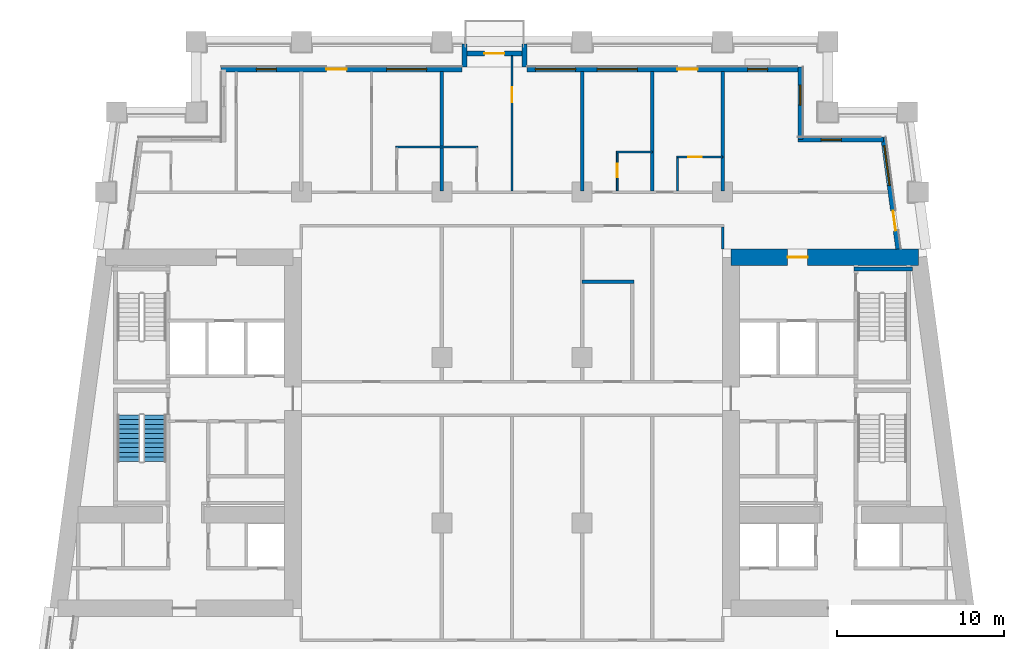
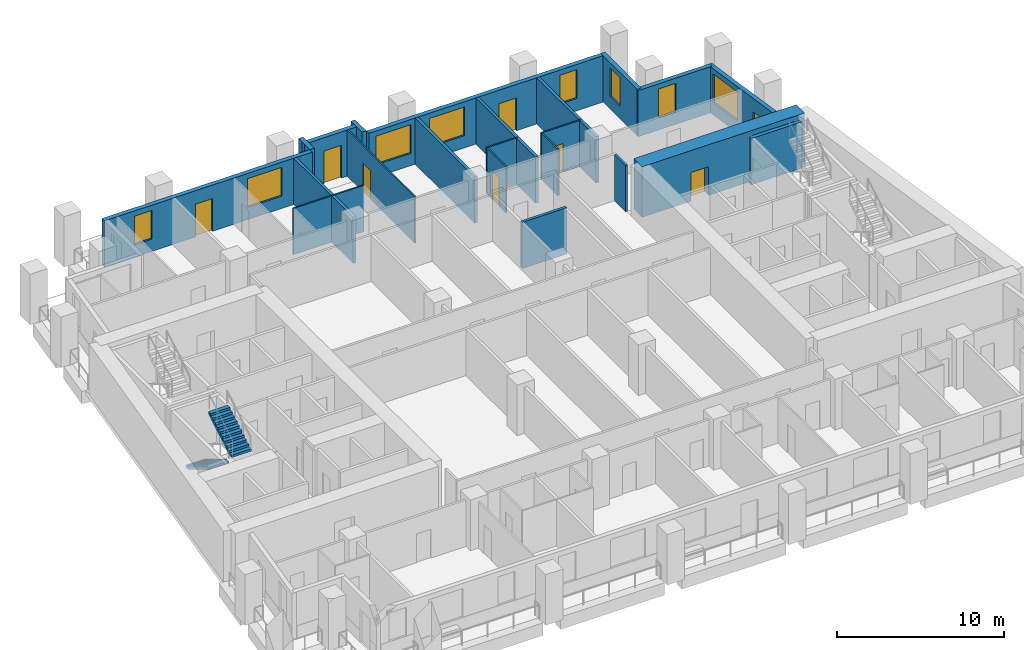
# One storey, part 7 of 13: 22 walls, 8 doors, 8 windows, 2 stair flights, 16 openings, 1 element without a shape of its own.
"""IFC4 building model written with IfcOpenShell, lengths in metres."""

from ifc_helpers import new_model, si_unit, direction, frame, frame_2d, origin, place, context, subcontext, project, spatial, polyline, rectangle, outline, extrude, material, layer, layer_set, type_object, element, fill, aggregate, save


model = new_model("IFC4")

# Units and contexts
model_context = context("Model", 3, precision=1e-05, world=origin(), true_north=direction((0.0, 1.0)))
body_context = subcontext(model_context, "Body", "Model", "MODEL_VIEW")
ifc_project = project(units=[si_unit("LENGTHUNIT", "METRE"), si_unit("AREAUNIT", "SQUARE_METRE"), si_unit("VOLUMEUNIT", "CUBIC_METRE"), si_unit("PLANEANGLEUNIT", "RADIAN"), si_unit("MASSUNIT", "GRAM", prefix="KILO")], contexts=[model_context])

# Site, building, storey
site_placement = place(None, origin())
site = spatial("IfcSite", under=ifc_project, at=site_placement, CompositionType="ELEMENT")
building_placement = place(site_placement, origin())
building = spatial("IfcBuilding", under=site, at=building_placement, Name="Candeia Pilgrim Tower and Theatre", CompositionType="ELEMENT")
storey_placement = place(building_placement, frame((0.0, 0.0, 113.199951171875)))
storey = spatial("IfcBuildingStorey", under=building, at=storey_placement, Name="L26", CompositionType="ELEMENT", Elevation=113.199951171875)

# Wall, opening, door
ifc_material_1 = material(Name="Concrete C70/85", Category="concrete")
ifc_layer_1 = layer(ifc_material_1, 1.0)
ifc_layer_set_1 = layer_set([ifc_layer_1], Name="Core wall 1000 C70/85")
wall_type_1 = type_object("IfcWallType", Name="Core wall 1000 C70/85", PredefinedType="SHEAR", material=ifc_layer_set_1)
wall_1_placement = place(storey_placement, frame((126.5, 131.89990234375, 0.0), z_axis=(0.0, 0.0, 1.0), x_axis=(1.0, 0.0, 0.0)))
wall_1 = element("IfcWall", 1, at=wall_1_placement, inside=storey, type_object=wall_type_1, Name="Core wall E1", PredefinedType="SHEAR", context=body_context, shape_type="SweptSolid", body=[
    extrude(rectangle(XDim=11.23193359375, YDim=1.0, at=frame_2d((5.615966796875, 0.0))), origin(), (0.0, 0.0, 1.0), 3.699951171875),
])
opening_1_placement = place(wall_1_placement, frame((3.386474609375, 0.0, 0.0)))
opening_1 = element("IfcOpeningElement", 2, at=opening_1_placement, cuts=wall_1, Name="Opening L26-D063", PredefinedType="OPENING", context=body_context, shape_type="SweptSolid", body=[
    extrude(rectangle(XDim=1.199951171875, YDim=2.10009765625, at=frame_2d((0.60009765625, 1.050048828125))), frame((0.0, 0.510009765625, 0.0), z_axis=(0.0, -1.0, 0.0), x_axis=(1.0, 0.0, 0.0)), (0.0, 0.0, 1.0), 1.02001953125),
])
ifc_material_2 = material(Name="Steel fire door set", Category="steel")
door_type_1 = type_object("IfcDoorType", Name="D-1200-FD60", OperationType="NOTDEFINED", PredefinedType="DOOR", material=ifc_material_2)
door_1_placement = place(opening_1_placement, origin())
door_1 = element("IfcDoor", 3, at=door_1_placement, inside=storey, type_object=door_type_1, Name="Door L26-D063", OperationType="SINGLE_SWING_LEFT", OverallHeight=2.10009765625, OverallWidth=1.199951171875, PredefinedType="DOOR", context=body_context, shape_type="SweptSolid", body=[
    extrude(rectangle(XDim=1.199951171875, YDim=2.10009765625, at=frame_2d((0.60009765625, 1.050048828125))), frame((0.0, 0.02490234375, 0.0), z_axis=(0.0, -1.0, 0.0), x_axis=(1.0, 0.0, 0.0)), (0.0, 0.0, 1.0), 0.050048828125),
])
fill(opening_1, door_1)

# Wall, openings, door, window
ifc_material_3 = material(Name="Ceramic block masonry", Category="masonry")
ifc_layer_2 = layer(ifc_material_3, 0.300048828125)
ifc_layer_set_2 = layer_set([ifc_layer_2], Name="EW1 glazing-line wall 300")
wall_type_2 = type_object("IfcWallType", Name="EW1 glazing-line wall 300", PredefinedType="SOLIDWALL", material=ifc_layer_set_2)
wall_2_placement = place(storey_placement, frame((136.50439453125, 132.39990234375, 0.0), z_axis=(0.0, 0.0, 1.0), x_axis=(-0.133399697462, 0.99106231929, 0.0)))
wall_2 = element("IfcWall", 4, at=wall_2_placement, inside=storey, type_object=wall_type_2, Name="External wall L26-3.1", PredefinedType="SOLIDWALL", context=body_context, shape_type="SweptSolid", body=[
    extrude(rectangle(XDim=6.740478515625, YDim=0.300048828125, at=frame_2d((3.3701171875, 0.0))), origin(), (0.0, 0.0, 1.0), 3.380126953125),
])
opening_2_placement = place(wall_2_placement, frame((1.115234375, 0.0, 0.0)))
opening_2 = element("IfcOpeningElement", 5, at=opening_2_placement, cuts=wall_2, Name="Opening L26-ED265", PredefinedType="OPENING", context=body_context, shape_type="SweptSolid", body=[
    extrude(rectangle(XDim=1.199951171875, YDim=2.39990234375, at=frame_2d((0.60009765625, 1.199951171875))), frame((0.0, 0.16015625, 0.0), z_axis=(0.0, -1.0, 0.0), x_axis=(1.0, 0.0, 0.0)), (0.0, 0.0, 1.0), 0.320068359375),
])
opening_3_placement = place(wall_2_placement, frame((3.83544921875, 0.0, 0.89990234375)))
opening_3 = element("IfcOpeningElement", 6, at=opening_3_placement, cuts=wall_2, Name="Opening W-A", PredefinedType="OPENING", context=body_context, shape_type="SweptSolid", body=[
    extrude(rectangle(XDim=2.39990234375, YDim=2.10009765625, at=frame_2d((1.199951171875, 1.050048828125))), frame((0.0, 0.16015625, 0.0), z_axis=(0.0, -1.0, 0.0), x_axis=(1.0, 0.0, 0.0)), (0.0, 0.0, 1.0), 0.320068359375),
])
ifc_material_4 = material(Name="Aluminium framed glazed door", Category="aluminium")
door_type_2 = type_object("IfcDoorType", Name="Loggia door 1200x2400", OperationType="DOUBLE_DOOR_SINGLE_SWING", PredefinedType="DOOR", material=ifc_material_4)
door_2_placement = place(opening_2_placement, origin())
door_2 = element("IfcDoor", 7, at=door_2_placement, inside=storey, type_object=door_type_2, Name="Loggia door L26-ED265", OperationType="DOUBLE_DOOR_SINGLE_SWING", OverallHeight=2.39990234375, OverallWidth=1.199951171875, PredefinedType="DOOR", context=body_context, shape_type="SweptSolid", body=[
    extrude(rectangle(XDim=1.199951171875, YDim=2.39990234375, at=frame_2d((0.60009765625, 1.199951171875))), frame((0.0, 0.02490234375, 0.0), z_axis=(0.0, -1.0, 0.0), x_axis=(1.0, 0.0, 0.0)), (0.0, 0.0, 1.0), 0.050048828125),
])
fill(opening_2, door_2)
ifc_material_5 = material(Name="Aluminium framed double glazing", Category="aluminium")
window_type_1 = type_object("IfcWindowType", Name="W-A window 2400x2100", PartitioningType="DOUBLE_PANEL_VERTICAL", PredefinedType="WINDOW", material=ifc_material_5)
window_1_placement = place(opening_3_placement, origin())
window_1 = element("IfcWindow", 8, at=window_1_placement, inside=storey, type_object=window_type_1, Name="Window W-A L26", OverallHeight=2.10009765625, OverallWidth=2.39990234375, PartitioningType="SINGLE_PANEL", PredefinedType="WINDOW", context=body_context, shape_type="SweptSolid", body=[
    extrude(rectangle(XDim=2.39990234375, YDim=2.10009765625, at=frame_2d((1.199951171875, 1.050048828125))), frame((0.0, 0.030029296875, 0.0), z_axis=(0.0, -1.0, 0.0), x_axis=(1.0, 0.0, 0.0)), (0.0, 0.0, 1.0), 0.06005859375),
])
fill(opening_3, window_1)

# Wall, opening, window
wall_3_placement = place(storey_placement, frame((135.62255859375, 138.949951171875, 0.0), z_axis=(0.0, 0.0, 1.0), x_axis=(-1.0, 0.0, 0.0)))
wall_3 = element("IfcWall", 9, at=wall_3_placement, inside=storey, type_object=wall_type_2, Name="External wall L26-4.0", PredefinedType="SOLIDWALL", context=body_context, shape_type="SweptSolid", body=[
    extrude(rectangle(XDim=5.12255859375, YDim=0.300048828125, at=frame_2d((2.561279296875, 0.0))), origin(), (0.0, 0.0, 1.0), 3.380126953125),
])
opening_4_placement = place(wall_3_placement, frame((2.522705078125, 0.0, 0.89990234375)))
opening_4 = element("IfcOpeningElement", 10, at=opening_4_placement, cuts=wall_3, Name="Opening W-B", PredefinedType="OPENING", context=body_context, shape_type="SweptSolid", body=[
    extrude(rectangle(XDim=1.199951171875, YDim=2.10009765625, at=frame_2d((0.60009765625, 1.050048828125))), frame((0.0, 0.16015625, 0.0), z_axis=(0.0, -1.0, 0.0), x_axis=(1.0, 0.0, 0.0)), (0.0, 0.0, 1.0), 0.320068359375),
])
window_type_2 = type_object("IfcWindowType", Name="W-B window 1200x2100", PartitioningType="SINGLE_PANEL", PredefinedType="WINDOW", material=ifc_material_5)
window_2_placement = place(opening_4_placement, origin())
window_2 = element("IfcWindow", 11, at=window_2_placement, inside=storey, type_object=window_type_2, Name="Window W-B L26", OverallHeight=2.10009765625, OverallWidth=1.199951171875, PartitioningType="SINGLE_PANEL", PredefinedType="WINDOW", context=body_context, shape_type="SweptSolid", body=[
    extrude(rectangle(XDim=1.199951171875, YDim=2.10009765625, at=frame_2d((0.60009765625, 1.050048828125))), frame((0.0, 0.030029296875, 0.0), z_axis=(0.0, -1.0, 0.0), x_axis=(1.0, 0.0, 0.0)), (0.0, 0.0, 1.0), 0.06005859375),
])
fill(opening_4, window_2)

wall_4_placement = place(storey_placement, frame((130.64990234375, 138.949951171875, 0.0), z_axis=(0.0, 0.0, 1.0), x_axis=(0.0, 1.0, 0.0)))
wall_4 = element("IfcWall", 12, at=wall_4_placement, inside=storey, type_object=wall_type_2, Name="External wall L26-5.0", PredefinedType="SOLIDWALL", context=body_context, shape_type="SweptSolid", body=[
    extrude(rectangle(XDim=4.35009765625, YDim=0.300048828125, at=frame_2d((2.175048828125, 0.0))), origin(), (0.0, 0.0, 1.0), 3.380126953125),
])
opening_5_placement = place(wall_4_placement, frame((2.050048828125, 0.0, 0.89990234375)))
opening_5 = element("IfcOpeningElement", 13, at=opening_5_placement, cuts=wall_4, Name="Opening W-B", PredefinedType="OPENING", context=body_context, shape_type="SweptSolid", body=[
    extrude(rectangle(XDim=1.199951171875, YDim=2.10009765625, at=frame_2d((0.60009765625, 1.050048828125))), frame((0.0, 0.16015625, 0.0), z_axis=(0.0, -1.0, 0.0), x_axis=(1.0, 0.0, 0.0)), (0.0, 0.0, 1.0), 0.320068359375),
])
window_3_placement = place(opening_5_placement, origin())
window_3 = element("IfcWindow", 14, at=window_3_placement, inside=storey, type_object=window_type_2, Name="Window W-B L26", OverallHeight=2.10009765625, OverallWidth=1.199951171875, PartitioningType="SINGLE_PANEL", PredefinedType="WINDOW", context=body_context, shape_type="SweptSolid", body=[
    extrude(rectangle(XDim=1.199951171875, YDim=2.10009765625, at=frame_2d((0.60009765625, 1.050048828125))), frame((0.0, 0.030029296875, 0.0), z_axis=(0.0, -1.0, 0.0), x_axis=(1.0, 0.0, 0.0)), (0.0, 0.0, 1.0), 0.06005859375),
])
fill(opening_5, window_3)

# Wall, openings, door, windows
wall_5_placement = place(storey_placement, frame((130.64990234375, 143.14990234375, 0.0), z_axis=(0.0, 0.0, 1.0), x_axis=(-1.0, 0.0, 0.0)))
wall_5 = element("IfcWall", 15, at=wall_5_placement, inside=storey, type_object=wall_type_2, Name="External wall L26-6.0", PredefinedType="SOLIDWALL", context=body_context, shape_type="SweptSolid", body=[
    extrude(rectangle(XDim=16.349853515625, YDim=0.300048828125, at=frame_2d((8.1748046875, 0.0))), origin(), (0.0, 0.0, 1.0), 3.380126953125),
])
opening_6_placement = place(wall_5_placement, frame((1.949951171875, 0.0, 0.89990234375)))
opening_6 = element("IfcOpeningElement", 16, at=opening_6_placement, cuts=wall_5, Name="Opening W-B", PredefinedType="OPENING", context=body_context, shape_type="SweptSolid", body=[
    extrude(rectangle(XDim=1.199951171875, YDim=2.10009765625, at=frame_2d((0.60009765625, 1.050048828125))), frame((0.0, 0.16015625, 0.0), z_axis=(0.0, -1.0, 0.0), x_axis=(1.0, 0.0, 0.0)), (0.0, 0.0, 1.0), 0.320068359375),
])
opening_7_placement = place(wall_5_placement, frame((6.14990234375, 0.0, 0.0)))
opening_7 = element("IfcOpeningElement", 17, at=opening_7_placement, cuts=wall_5, Name="Opening L26-ED266", PredefinedType="OPENING", context=body_context, shape_type="SweptSolid", body=[
    extrude(rectangle(XDim=1.199951171875, YDim=2.39990234375, at=frame_2d((0.60009765625, 1.199951171875))), frame((0.0, 0.16015625, 0.0), z_axis=(0.0, -1.0, 0.0), x_axis=(1.0, 0.0, 0.0)), (0.0, 0.0, 1.0), 0.320068359375),
])
opening_8_placement = place(wall_5_placement, frame((9.75, 0.0, 0.89990234375)))
opening_8 = element("IfcOpeningElement", 18, at=opening_8_placement, cuts=wall_5, Name="Opening W-A", PredefinedType="OPENING", context=body_context, shape_type="SweptSolid", body=[
    extrude(rectangle(XDim=2.39990234375, YDim=2.10009765625, at=frame_2d((1.199951171875, 1.050048828125))), frame((0.0, 0.16015625, 0.0), z_axis=(0.0, -1.0, 0.0), x_axis=(1.0, 0.0, 0.0)), (0.0, 0.0, 1.0), 0.320068359375),
])
opening_9_placement = place(wall_5_placement, frame((13.449951171875, 0.0, 0.89990234375)))
opening_9 = element("IfcOpeningElement", 19, at=opening_9_placement, cuts=wall_5, Name="Opening W-A", PredefinedType="OPENING", context=body_context, shape_type="SweptSolid", body=[
    extrude(rectangle(XDim=2.39990234375, YDim=2.10009765625, at=frame_2d((1.199951171875, 1.050048828125))), frame((0.0, 0.16015625, 0.0), z_axis=(0.0, -1.0, 0.0), x_axis=(1.0, 0.0, 0.0)), (0.0, 0.0, 1.0), 0.320068359375),
])
door_3_placement = place(opening_7_placement, origin())
door_3 = element("IfcDoor", 20, at=door_3_placement, inside=storey, type_object=door_type_2, Name="Loggia door L26-ED266", OperationType="DOUBLE_DOOR_SINGLE_SWING", OverallHeight=2.39990234375, OverallWidth=1.199951171875, PredefinedType="DOOR", context=body_context, shape_type="SweptSolid", body=[
    extrude(rectangle(XDim=1.199951171875, YDim=2.39990234375, at=frame_2d((0.60009765625, 1.199951171875))), frame((0.0, 0.02490234375, 0.0), z_axis=(0.0, -1.0, 0.0), x_axis=(1.0, 0.0, 0.0)), (0.0, 0.0, 1.0), 0.050048828125),
])
fill(opening_7, door_3)
window_4_placement = place(opening_8_placement, origin())
window_4 = element("IfcWindow", 21, at=window_4_placement, inside=storey, type_object=window_type_1, Name="Window W-A L26", OverallHeight=2.10009765625, OverallWidth=2.39990234375, PartitioningType="SINGLE_PANEL", PredefinedType="WINDOW", context=body_context, shape_type="SweptSolid", body=[
    extrude(rectangle(XDim=2.39990234375, YDim=2.10009765625, at=frame_2d((1.199951171875, 1.050048828125))), frame((0.0, 0.030029296875, 0.0), z_axis=(0.0, -1.0, 0.0), x_axis=(1.0, 0.0, 0.0)), (0.0, 0.0, 1.0), 0.06005859375),
])
fill(opening_8, window_4)
window_5_placement = place(opening_9_placement, origin())
window_5 = element("IfcWindow", 22, at=window_5_placement, inside=storey, type_object=window_type_1, Name="Window W-A L26", OverallHeight=2.10009765625, OverallWidth=2.39990234375, PartitioningType="SINGLE_PANEL", PredefinedType="WINDOW", context=body_context, shape_type="SweptSolid", body=[
    extrude(rectangle(XDim=2.39990234375, YDim=2.10009765625, at=frame_2d((1.199951171875, 1.050048828125))), frame((0.0, 0.030029296875, 0.0), z_axis=(0.0, -1.0, 0.0), x_axis=(1.0, 0.0, 0.0)), (0.0, 0.0, 1.0), 0.06005859375),
])
fill(opening_9, window_5)
window_6_placement = place(opening_6_placement, origin())
window_6 = element("IfcWindow", 23, at=window_6_placement, inside=storey, type_object=window_type_2, Name="Window W-B L26", OverallHeight=2.10009765625, OverallWidth=1.199951171875, PartitioningType="SINGLE_PANEL", PredefinedType="WINDOW", context=body_context, shape_type="SweptSolid", body=[
    extrude(rectangle(XDim=1.199951171875, YDim=2.10009765625, at=frame_2d((0.60009765625, 1.050048828125))), frame((0.0, 0.030029296875, 0.0), z_axis=(0.0, -1.0, 0.0), x_axis=(1.0, 0.0, 0.0)), (0.0, 0.0, 1.0), 0.06005859375),
])
fill(opening_6, window_6)

wall_6_placement = place(storey_placement, frame((110.39990234375, 143.14990234375, 0.0), z_axis=(0.0, 0.0, 1.0), x_axis=(-1.0, 0.0, 0.0)))
wall_6 = element("IfcWall", 24, at=wall_6_placement, inside=storey, type_object=wall_type_2, Name="External wall L26-6.1", PredefinedType="SOLIDWALL", context=body_context, shape_type="SweptSolid", body=[
    extrude(rectangle(XDim=14.39990234375, YDim=0.300048828125, at=frame_2d((7.199951171875, 0.0))), origin(), (0.0, 0.0, 1.0), 3.380126953125),
])
opening_10_placement = place(wall_6_placement, frame((2.10009765625, 0.0, 0.89990234375)))
opening_10 = element("IfcOpeningElement", 25, at=opening_10_placement, cuts=wall_6, Name="Opening W-A", PredefinedType="OPENING", context=body_context, shape_type="SweptSolid", body=[
    extrude(rectangle(XDim=2.39990234375, YDim=2.10009765625, at=frame_2d((1.199951171875, 1.050048828125))), frame((0.0, 0.16015625, 0.0), z_axis=(0.0, -1.0, 0.0), x_axis=(1.0, 0.0, 0.0)), (0.0, 0.0, 1.0), 0.320068359375),
])
opening_11_placement = place(wall_6_placement, frame((6.89990234375, 0.0, 0.0)))
opening_11 = element("IfcOpeningElement", 26, at=opening_11_placement, cuts=wall_6, Name="Opening L26-ED267", PredefinedType="OPENING", context=body_context, shape_type="SweptSolid", body=[
    extrude(rectangle(XDim=1.199951171875, YDim=2.39990234375, at=frame_2d((0.60009765625, 1.199951171875))), frame((0.0, 0.16015625, 0.0), z_axis=(0.0, -1.0, 0.0), x_axis=(1.0, 0.0, 0.0)), (0.0, 0.0, 1.0), 0.320068359375),
])
opening_12_placement = place(wall_6_placement, frame((11.10009765625, 0.0, 0.89990234375)))
opening_12 = element("IfcOpeningElement", 27, at=opening_12_placement, cuts=wall_6, Name="Opening W-B", PredefinedType="OPENING", context=body_context, shape_type="SweptSolid", body=[
    extrude(rectangle(XDim=1.199951171875, YDim=2.10009765625, at=frame_2d((0.60009765625, 1.050048828125))), frame((0.0, 0.16015625, 0.0), z_axis=(0.0, -1.0, 0.0), x_axis=(1.0, 0.0, 0.0)), (0.0, 0.0, 1.0), 0.320068359375),
])
door_4_placement = place(opening_11_placement, origin())
door_4 = element("IfcDoor", 28, at=door_4_placement, inside=storey, type_object=door_type_2, Name="Loggia door L26-ED267", OperationType="DOUBLE_DOOR_SINGLE_SWING", OverallHeight=2.39990234375, OverallWidth=1.199951171875, PredefinedType="DOOR", context=body_context, shape_type="SweptSolid", body=[
    extrude(rectangle(XDim=1.199951171875, YDim=2.39990234375, at=frame_2d((0.60009765625, 1.199951171875))), frame((0.0, 0.02490234375, 0.0), z_axis=(0.0, -1.0, 0.0), x_axis=(1.0, 0.0, 0.0)), (0.0, 0.0, 1.0), 0.050048828125),
])
fill(opening_11, door_4)
window_7_placement = place(opening_10_placement, origin())
window_7 = element("IfcWindow", 29, at=window_7_placement, inside=storey, type_object=window_type_1, Name="Window W-A L26", OverallHeight=2.10009765625, OverallWidth=2.39990234375, PartitioningType="SINGLE_PANEL", PredefinedType="WINDOW", context=body_context, shape_type="SweptSolid", body=[
    extrude(rectangle(XDim=2.39990234375, YDim=2.10009765625, at=frame_2d((1.199951171875, 1.050048828125))), frame((0.0, 0.030029296875, 0.0), z_axis=(0.0, -1.0, 0.0), x_axis=(1.0, 0.0, 0.0)), (0.0, 0.0, 1.0), 0.06005859375),
])
fill(opening_10, window_7)
window_8_placement = place(opening_12_placement, origin())
window_8 = element("IfcWindow", 30, at=window_8_placement, inside=storey, type_object=window_type_2, Name="Window W-B L26", OverallHeight=2.10009765625, OverallWidth=1.199951171875, PartitioningType="SINGLE_PANEL", PredefinedType="WINDOW", context=body_context, shape_type="SweptSolid", body=[
    extrude(rectangle(XDim=1.199951171875, YDim=2.10009765625, at=frame_2d((0.60009765625, 1.050048828125))), frame((0.0, 0.030029296875, 0.0), z_axis=(0.0, -1.0, 0.0), x_axis=(1.0, 0.0, 0.0)), (0.0, 0.0, 1.0), 0.06005859375),
])
fill(opening_12, window_8)

# Walls
ifc_layer_3 = layer(ifc_material_3, 0.300048828125)
ifc_layer_set_3 = layer_set([ifc_layer_3], Name="EW2 entrance infill wall 300")
wall_type_3 = type_object("IfcWallType", Name="EW2 entrance infill wall 300", PredefinedType="SOLIDWALL", material=ifc_layer_set_3)
for number, where, z_axis, x_axis, name in (
    (31, (114.14990234375, 143.300048828125, 0.0), (0.0, 0.0, 1.0), (0.0, 1.0, 0.0), "Alcove wall L26"),
    (32, (110.550048828125, 143.300048828125, 0.0), (0.0, 0.0, 1.0), (0.0, 1.0, 0.0), "Alcove wall L26"),
):
    element("IfcWall", number, at=place(storey_placement, frame(where, z_axis=z_axis, x_axis=x_axis)), inside=storey, type_object=wall_type_3, Name=name, PredefinedType="SOLIDWALL", context=body_context, shape_type="SweptSolid", body=[
        extrude(rectangle(XDim=1.349853515625, YDim=0.300048828125, at=frame_2d((0.6748046875, 0.0))), origin(), (0.0, 0.0, 1.0), 3.380126953125),
    ])

# Wall, opening, door
wall_7_placement = place(storey_placement, frame((114.300048828125, 144.10009765625, 0.0), z_axis=(0.0, 0.0, 1.0), x_axis=(-1.0, 0.0, 0.0)))
wall_7 = element("IfcWall", 33, at=wall_7_placement, inside=storey, type_object=wall_type_3, Name="Alcove wall L26", PredefinedType="SOLIDWALL", context=body_context, shape_type="SweptSolid", body=[
    extrude(rectangle(XDim=3.900146484375, YDim=0.300048828125, at=frame_2d((1.9501953125, 0.0))), origin(), (0.0, 0.0, 1.0), 3.380126953125),
])
opening_13_placement = place(wall_7_placement, frame((1.35009765625, 0.0, 0.0)))
opening_13 = element("IfcOpeningElement", 34, at=opening_13_placement, cuts=wall_7, Name="Opening L26-ED268", PredefinedType="OPENING", context=body_context, shape_type="SweptSolid", body=[
    extrude(rectangle(XDim=1.199951171875, YDim=2.39990234375, at=frame_2d((0.60009765625, 1.199951171875))), frame((0.0, 0.16015625, 0.0), z_axis=(0.0, -1.0, 0.0), x_axis=(1.0, 0.0, 0.0)), (0.0, 0.0, 1.0), 0.320068359375),
])
door_5_placement = place(opening_13_placement, origin())
door_5 = element("IfcDoor", 35, at=door_5_placement, inside=storey, type_object=door_type_2, Name="Balcony door L26-ED268", OperationType="DOUBLE_DOOR_SINGLE_SWING", OverallHeight=2.39990234375, OverallWidth=1.199951171875, PredefinedType="DOOR", context=body_context, shape_type="SweptSolid", body=[
    extrude(rectangle(XDim=1.199951171875, YDim=2.39990234375, at=frame_2d((0.60009765625, 1.199951171875))), frame((0.0, 0.02490234375, 0.0), z_axis=(0.0, -1.0, 0.0), x_axis=(1.0, 0.0, 0.0)), (0.0, 0.0, 1.0), 0.050048828125),
])
fill(opening_13, door_5)

ifc_material_6 = material(Name="Gypsum board partition on steel studs", Category="steel")
ifc_layer_4 = layer(ifc_material_6, 0.10009765625)
ifc_layer_set_4 = layer_set([ifc_layer_4], Name="PW-100 room partition")
wall_type_4 = type_object("IfcWallType", Name="PW-100 room partition", PredefinedType="PARTITIONING", material=ifc_layer_set_4)
wall_8_placement = place(storey_placement, frame((123.25, 137.89990234375, 0.0), z_axis=(0.0, 0.0, 1.0), x_axis=(1.0, 0.0, 0.0)))
wall_8 = element("IfcWall", 36, at=wall_8_placement, inside=storey, type_object=wall_type_4, Name="Room partition L26-042", PredefinedType="PARTITIONING", context=body_context, shape_type="SweptSolid", body=[
    extrude(rectangle(XDim=2.75, YDim=0.10009765625, at=frame_2d((1.375, 0.0))), origin(), (0.0, 0.0, 1.0), 3.380126953125),
])
opening_14_placement = place(wall_8_placement, frame((0.699951171875, 0.0, 0.0)))
opening_14 = element("IfcOpeningElement", 37, at=opening_14_placement, cuts=wall_8, Name="Opening L26-D046", PredefinedType="OPENING", context=body_context, shape_type="SweptSolid", body=[
    extrude(rectangle(XDim=0.800048828125, YDim=2.10009765625, at=frame_2d((0.39990234375, 1.050048828125))), frame((0.0, 0.06005859375, 0.0), z_axis=(0.0, -1.0, 0.0), x_axis=(1.0, 0.0, 0.0)), (0.0, 0.0, 1.0), 0.1201171875),
])
ifc_material_7 = material(Name="Timber door leaf", Category="wood")
door_type_3 = type_object("IfcDoorType", Name="D-800", OperationType="NOTDEFINED", PredefinedType="DOOR", material=ifc_material_7)
door_6_placement = place(opening_14_placement, origin())
door_6 = element("IfcDoor", 38, at=door_6_placement, inside=storey, type_object=door_type_3, Name="Door L26-D046", OperationType="SINGLE_SWING_RIGHT", OverallHeight=2.10009765625, OverallWidth=0.800048828125, PredefinedType="DOOR", context=body_context, shape_type="SweptSolid", body=[
    extrude(rectangle(XDim=0.800048828125, YDim=2.10009765625, at=frame_2d((0.39990234375, 1.050048828125))), frame((0.0, 0.02490234375, 0.0), z_axis=(0.0, -1.0, 0.0), x_axis=(1.0, 0.0, 0.0)), (0.0, 0.0, 1.0), 0.050048828125),
])
fill(opening_14, door_6)

# Walls
wall_9_placement = place(storey_placement, frame((119.64990234375, 138.199951171875, 0.0), z_axis=(0.0, 0.0, 1.0), x_axis=(1.0, 0.0, 0.0)))
element("IfcWall", 39, at=wall_9_placement, inside=storey, type_object=wall_type_4, Name="Room partition L26-044", PredefinedType="PARTITIONING", context=body_context, shape_type="SweptSolid", body=[
    extrude(rectangle(XDim=2.150146484375, YDim=0.10009765625, at=frame_2d((1.0751953125, 0.0))), origin(), (0.0, 0.0, 1.0), 3.380126953125),
])
wall_10_placement = place(storey_placement, frame((106.449951171875, 138.5, 0.0), z_axis=(0.0, 0.0, 1.0), x_axis=(1.0, 0.0, 0.0)))
element("IfcWall", 40, at=wall_10_placement, inside=storey, type_object=wall_type_4, Name="Room partition L26-045", PredefinedType="PARTITIONING", context=body_context, shape_type="SweptSolid", body=[
    extrude(rectangle(XDim=4.900146484375, YDim=0.10009765625, at=frame_2d((2.4501953125, 0.0))), origin(), (0.0, 0.0, 1.0), 3.380126953125),
])

# Wall, opening, door
wall_11_placement = place(storey_placement, frame((113.39990234375, 135.875, 0.0), z_axis=(0.0, 0.0, 1.0), x_axis=(0.0, 1.0, 0.0)))
wall_11 = element("IfcWall", 41, at=wall_11_placement, inside=storey, type_object=wall_type_4, Name="Room partition L26-080", PredefinedType="PARTITIONING", context=body_context, shape_type="SweptSolid", body=[
    extrude(rectangle(XDim=8.0849609375, YDim=0.10009765625, at=frame_2d((4.04248046875, 0.0))), origin(), (0.0, 0.0, 1.0), 3.380126953125),
])
opening_15_placement = place(wall_11_placement, frame((5.2900390625, 0.0, 0.0)))
opening_15 = element("IfcOpeningElement", 42, at=opening_15_placement, cuts=wall_11, Name="Opening L26-D041", PredefinedType="OPENING", context=body_context, shape_type="SweptSolid", body=[
    extrude(rectangle(XDim=0.89990234375, YDim=2.10009765625, at=frame_2d((0.449951171875, 1.050048828125))), frame((0.0, 0.06005859375, 0.0), z_axis=(0.0, -1.0, 0.0), x_axis=(1.0, 0.0, 0.0)), (0.0, 0.0, 1.0), 0.1201171875),
])
door_type_4 = type_object("IfcDoorType", Name="D-900", OperationType="NOTDEFINED", PredefinedType="DOOR", material=ifc_material_7)
door_7_placement = place(opening_15_placement, origin())
door_7 = element("IfcDoor", 43, at=door_7_placement, inside=storey, type_object=door_type_4, Name="Door L26-D041", OperationType="SINGLE_SWING_LEFT", OverallHeight=2.10009765625, OverallWidth=0.89990234375, PredefinedType="DOOR", context=body_context, shape_type="SweptSolid", body=[
    extrude(rectangle(XDim=0.89990234375, YDim=2.10009765625, at=frame_2d((0.449951171875, 1.050048828125))), frame((0.0, 0.02490234375, 0.0), z_axis=(0.0, -1.0, 0.0), x_axis=(1.0, 0.0, 0.0)), (0.0, 0.0, 1.0), 0.050048828125),
])
fill(opening_15, door_7)

wall_12_placement = place(storey_placement, frame((119.699951171875, 135.875, 0.0), z_axis=(0.0, 0.0, 1.0), x_axis=(0.0, 1.0, 0.0)))
wall_12 = element("IfcWall", 44, at=wall_12_placement, inside=storey, type_object=wall_type_4, Name="Room partition L26-089", PredefinedType="PARTITIONING", context=body_context, shape_type="SweptSolid", body=[
    extrude(rectangle(XDim=2.27490234375, YDim=0.10009765625, at=frame_2d((1.137451171875, 0.0))), origin(), (0.0, 0.0, 1.0), 3.380126953125),
])
opening_16_placement = place(wall_12_placement, frame((0.81494140625, 0.0, 0.0)))
opening_16 = element("IfcOpeningElement", 45, at=opening_16_placement, cuts=wall_12, Name="Opening L26-D044", PredefinedType="OPENING", context=body_context, shape_type="SweptSolid", body=[
    extrude(rectangle(XDim=0.800048828125, YDim=2.10009765625, at=frame_2d((0.39990234375, 1.050048828125))), frame((0.0, 0.06005859375, 0.0), z_axis=(0.0, -1.0, 0.0), x_axis=(1.0, 0.0, 0.0)), (0.0, 0.0, 1.0), 0.1201171875),
])
door_8_placement = place(opening_16_placement, origin())
door_8 = element("IfcDoor", 46, at=door_8_placement, inside=storey, type_object=door_type_3, Name="Door L26-D044", OperationType="SINGLE_SWING_RIGHT", OverallHeight=2.10009765625, OverallWidth=0.800048828125, PredefinedType="DOOR", context=body_context, shape_type="SweptSolid", body=[
    extrude(rectangle(XDim=0.800048828125, YDim=2.10009765625, at=frame_2d((0.39990234375, 1.050048828125))), frame((0.0, 0.02490234375, 0.0), z_axis=(0.0, -1.0, 0.0), x_axis=(1.0, 0.0, 0.0)), (0.0, 0.0, 1.0), 0.050048828125),
])
fill(opening_16, door_8)

# Walls
wall_13_placement = place(storey_placement, frame((123.300048828125, 135.875, 0.0), z_axis=(0.0, 0.0, 1.0), x_axis=(0.0, 1.0, 0.0)))
element("IfcWall", 47, at=wall_13_placement, inside=storey, type_object=wall_type_4, Name="Room partition L26-095", PredefinedType="PARTITIONING", context=body_context, shape_type="SweptSolid", body=[
    extrude(rectangle(XDim=1.97509765625, YDim=0.10009765625, at=frame_2d((0.987548828125, 0.0))), origin(), (0.0, 0.0, 1.0), 3.380126953125),
])
ifc_layer_5 = layer(ifc_material_6, 0.14990234375)
ifc_layer_set_5 = layer_set([ifc_layer_5], Name="PW-150 unit wall")
wall_type_5 = type_object("IfcWallType", Name="PW-150 unit wall", PredefinedType="PARTITIONING", material=ifc_layer_set_5)
wall_14_placement = place(storey_placement, frame((126.0, 132.39990234375, 0.0), z_axis=(0.0, 0.0, 1.0), x_axis=(0.0, 1.0, 0.0)))
element("IfcWall", 48, at=wall_14_placement, inside=storey, type_object=wall_type_5, Name="Unit wall L26-099", PredefinedType="PARTITIONING", context=body_context, shape_type="SweptSolid", body=[
    extrude(rectangle(XDim=1.3251953125, YDim=0.14990234375, at=frame_2d((0.66259765625, 0.0))), origin(), (0.0, 0.0, 1.0), 3.380126953125),
])
ifc_layer_6 = layer(ifc_material_6, 0.199951171875)
ifc_layer_set_6 = layer_set([ifc_layer_6], Name="PW-200 party wall")
wall_type_6 = type_object("IfcWallType", Name="PW-200 party wall", PredefinedType="PARTITIONING", material=ifc_layer_set_6)
wall_15_placement = place(storey_placement, frame((117.60009765625, 130.449951171875, 0.0), z_axis=(0.0, 0.0, 1.0), x_axis=(1.0, 0.0, 0.0)))
element("IfcWall", 49, at=wall_15_placement, inside=storey, type_object=wall_type_6, Name="Party wall L26-037", PredefinedType="PARTITIONING", context=body_context, shape_type="SweptSolid", body=[
    extrude(rectangle(XDim=3.099853515625, YDim=0.199951171875, at=frame_2d((1.5498046875, 0.0))), origin(), (0.0, 0.0, 1.0), 3.380126953125),
])
for number, where, z_axis, x_axis, name in (
    (50, (109.199951171875, 135.875, 0.0), (0.0, 0.0, 1.0), (0.0, 1.0, 0.0), "Party wall L26-078"),
    (51, (117.60009765625, 135.875, 0.0), (0.0, 0.0, 1.0), (0.0, 1.0, 0.0), "Party wall L26-087"),
    (52, (121.800048828125, 135.875, 0.0), (0.0, 0.0, 1.0), (0.0, 1.0, 0.0), "Party wall L26-094"),
    (53, (126.0, 135.875, 0.0), (0.0, 0.0, 1.0), (0.0, 1.0, 0.0), "Party wall L26-097"),
):
    element("IfcWall", number, at=place(storey_placement, frame(where, z_axis=z_axis, x_axis=x_axis)), inside=storey, type_object=wall_type_6, Name=name, PredefinedType="PARTITIONING", context=body_context, shape_type="SweptSolid", body=[
        extrude(rectangle(XDim=7.135009765625, YDim=0.199951171875, at=frame_2d((3.5673828125, 0.0))), origin(), (0.0, 0.0, 1.0), 3.380126953125),
    ])
ifc_material_8 = material(Name="Concrete C40/50", Category="concrete")
ifc_layer_7 = layer(ifc_material_8, 0.25)
ifc_layer_set_7 = layer_set([ifc_layer_7], Name="SW-250 stair wall")
wall_type_7 = type_object("IfcWallType", Name="SW-250 stair wall", PredefinedType="PARTITIONING", material=ifc_layer_set_7)
wall_16_placement = place(storey_placement, frame((133.847900390625, 131.199951171875, 0.0), z_axis=(0.0, 0.0, 1.0), x_axis=(1.0, 0.0, 0.0)))
element("IfcWall", 54, at=wall_16_placement, inside=storey, type_object=wall_type_7, Name="Stair wall L26-039", PredefinedType="PARTITIONING", context=body_context, shape_type="SweptSolid", body=[
    extrude(rectangle(XDim=3.50390625, YDim=0.25, at=frame_2d((1.751953125, 0.0))), origin(), (0.0, 0.0, 1.0), 3.380126953125),
])

# Stair, stair flights
stair_type = type_object("IfcStairType", Name="ST-TWR dog-leg escape stair", PredefinedType="HALF_TURN_STAIR", material=ifc_material_8)
stair_placement = place(storey_placement, origin())
stair = element("IfcStair", 55, at=stair_placement, inside=storey, type_object=stair_type, Name="L26 Escape stair ST1", PredefinedType="HALF_TURN_STAIR")
stair_flight_type = type_object("IfcStairFlightType", Name="SFL-RC stair flight", PredefinedType="STRAIGHT", material=ifc_material_8)
stair_flight_1_placement = place(storey_placement, frame((90.47705078125, 122.47509765625, 0.0), z_axis=(0.0, 0.0, 1.0), x_axis=(0.0, -1.0, 0.0)))
stair_flight_1 = element("IfcStairFlight", 56, at=stair_flight_1_placement, type_object=stair_flight_type, Name="ST1 flight 1", NumberOfRisers=11, NumberOfTreads=10, PredefinedType="STRAIGHT", RiserHeight=0.168181818, TreadLength=0.28, context=body_context, shape_type="SweptSolid", body=[
    extrude(outline(polyline([(0.0, 0.0), (0.0, 0.168212890625), (0.280029296875, 0.168212890625), (0.280029296875, 0.33642578125), (0.56005859375, 0.33642578125), (0.56005859375, 0.504638671875), (0.840087890625, 0.504638671875), (0.840087890625, 0.672607421875), (1.1201171875, 0.672607421875), (1.1201171875, 0.8408203125), (1.39990234375, 0.8408203125), (1.39990234375, 1.009033203125), (1.679931640625, 1.009033203125), (1.679931640625, 1.17724609375), (1.9599609375, 1.17724609375), (1.9599609375, 1.345458984375), (2.239990234375, 1.345458984375), (2.239990234375, 1.513671875), (2.52001953125, 1.513671875), (2.52001953125, 1.681884765625), (2.800048828125, 1.681884765625), (2.800048828125, 1.85009765625), (2.800048828125, 1.5068359375), (0.291015625, 0.0), (0.0, 0.0)])), frame((0.0, 0.675048828125, 0.0), z_axis=(0.0, -1.0, 0.0), x_axis=(1.0, 0.0, 0.0)), (0.0, 0.0, 1.0), 1.35009765625),
])
stair_flight_2_placement = place(storey_placement, frame((92.027099609375, 119.675048828125, 1.85009765625), z_axis=(0.0, 0.0, 1.0), x_axis=(0.0, 1.0, 0.0)))
stair_flight_2 = element("IfcStairFlight", 57, at=stair_flight_2_placement, type_object=stair_flight_type, Name="ST1 flight 2", NumberOfRisers=11, NumberOfTreads=10, PredefinedType="STRAIGHT", RiserHeight=0.168181818, TreadLength=0.28, context=body_context, shape_type="SweptSolid", body=[
    extrude(outline(polyline([(0.0, 0.0), (0.0, 0.168212890625), (0.280029296875, 0.168212890625), (0.280029296875, 0.33642578125), (0.56005859375, 0.33642578125), (0.56005859375, 0.504638671875), (0.840087890625, 0.504638671875), (0.840087890625, 0.672607421875), (1.1201171875, 0.672607421875), (1.1201171875, 0.8408203125), (1.39990234375, 0.8408203125), (1.39990234375, 1.009033203125), (1.679931640625, 1.009033203125), (1.679931640625, 1.17724609375), (1.9599609375, 1.17724609375), (1.9599609375, 1.345458984375), (2.239990234375, 1.345458984375), (2.239990234375, 1.513671875), (2.52001953125, 1.513671875), (2.52001953125, 1.681884765625), (2.800048828125, 1.681884765625), (2.800048828125, 1.85009765625), (2.800048828125, 1.5068359375), (0.291015625, 0.0), (0.0, 0.0)])), frame((0.0, 0.675048828125, 0.0), z_axis=(0.0, -1.0, 0.0), x_axis=(1.0, 0.0, 0.0)), (0.0, 0.0, 1.0), 1.35009765625),
])
aggregate(stair, [stair_flight_1, stair_flight_2])

save(model, "model.ifc")
